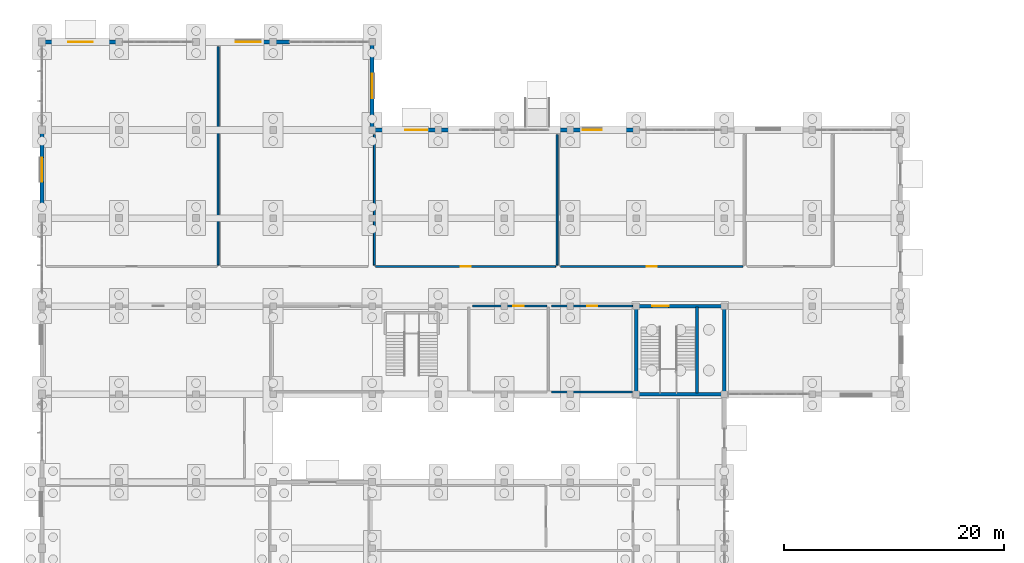
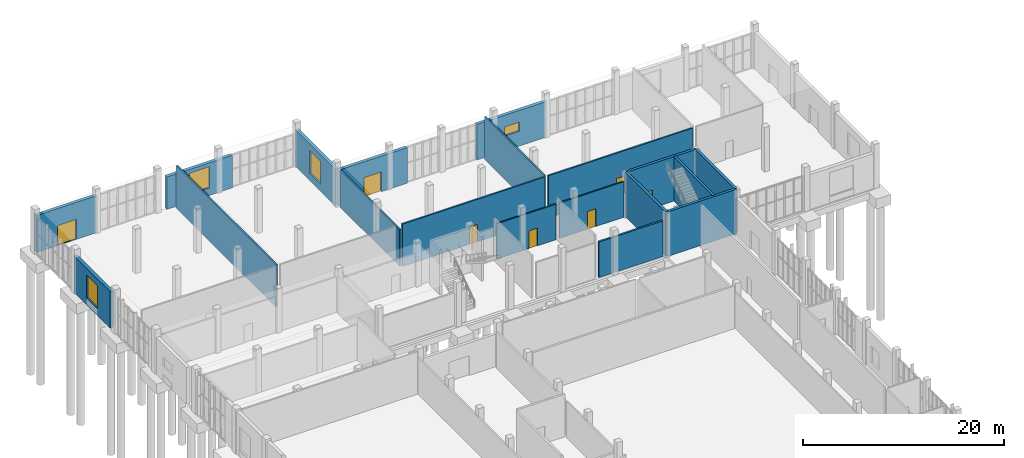
# One storey, part 48 of 69: 19 walls, 7 doors, 4 windows, 11 openings.
"""IFC4 building model written with IfcOpenShell, lengths in metres."""

from ifc_helpers import new_model, si_unit, direction, frame, frame_2d, origin, place, context, subcontext, project, spatial, rectangle, extrude, material, layer, layer_set, type_object, element, fill, save


model = new_model("IFC4")

# Units and contexts
model_context = context("Model", 3, precision=1e-05, world=origin(), true_north=direction((0.0, 1.0)))
body_context = subcontext(model_context, "Body", "Model", "MODEL_VIEW")
ifc_project = project(units=[si_unit("LENGTHUNIT", "METRE"), si_unit("AREAUNIT", "SQUARE_METRE"), si_unit("VOLUMEUNIT", "CUBIC_METRE"), si_unit("PLANEANGLEUNIT", "RADIAN"), si_unit("MASSUNIT", "GRAM", prefix="KILO")], contexts=[model_context])

# Site, building, storey
site_placement = place(None, origin())
site = spatial("IfcSite", under=ifc_project, at=site_placement, CompositionType="ELEMENT")
building_placement = place(site_placement, origin())
building = spatial("IfcBuilding", under=site, at=building_placement, Name="Solvane Community Centre", CompositionType="ELEMENT")
storey_placement = place(building_placement, origin())
storey = spatial("IfcBuildingStorey", under=building, at=storey_placement, Name="L00", CompositionType="ELEMENT", Elevation=0.0)

# Wall
ifc_material_1 = material(Name="Gypsum board partition")
ifc_layer_1 = layer(ifc_material_1, 0.2099609375)
ifc_layer_set_1 = layer_set([ifc_layer_1], Name="Gypsum board partition")
wall_type_1 = type_object("IfcWallType", Name="Acoustic Partition 210mm [74x43dm]", PredefinedType="PARTITIONING", material=ifc_layer_set_1)
wall_1_placement = place(storey_placement, frame((52.320068359375, 86.199951171875, 0.0), z_axis=(0.0, 0.0, 1.0), x_axis=(1.0, 0.0, 0.0)))
element("IfcWall", 1, at=wall_1_placement, inside=storey, type_object=wall_type_1, Name="Interior Wall WL-INT-L00-0230", PredefinedType="PARTITIONING", context=body_context, shape_type="SweptSolid", body=[
    extrude(rectangle(XDim=7.35986328125, YDim=0.2099609375, at=frame_2d((3.679931640625, 0.0))), origin(), (0.0, 0.0, 1.0), 4.31494140625),
])

# Wall, opening, door
ifc_material_2 = material(Name="Terracotta clay masonry", Category="masonry")
ifc_layer_2 = layer(ifc_material_2, 0.3798828125)
ifc_layer_set_2 = layer_set([ifc_layer_2], Name="Terracotta clay masonry")
wall_type_2 = type_object("IfcWallType", Name="Art Deco Terracotta Plinth Wall 380mm [70x45dm]", PredefinedType="SOLIDWALL", material=ifc_layer_set_2)
wall_2_placement = place(storey_placement, frame((6.0, 118.0, 0.0), z_axis=(0.0, 0.0, 1.0), x_axis=(1.0, 0.0, 0.0)))
wall_2 = element("IfcWall", 2, at=wall_2_placement, inside=storey, type_object=wall_type_2, Name="Exterior Wall WL-EXT-L00-0030", PredefinedType="SOLIDWALL", context=body_context, shape_type="SweptSolid", body=[
    extrude(rectangle(XDim=7.0, YDim=0.3798828125, at=frame_2d((3.5, 0.0))), origin(), (0.0, 0.0, 1.0), 4.4951171875),
])
opening_1_placement = place(wall_2_placement, frame((2.39990234375, 0.0, 0.0)))
opening_1 = element("IfcOpeningElement", 3, at=opening_1_placement, cuts=wall_2, Name="Opening D05", PredefinedType="OPENING", context=body_context, shape_type="SweptSolid", body=[
    extrude(rectangle(XDim=2.199951171875, YDim=2.449951171875, at=frame_2d((1.10009765625, 1.22509765625))), frame((0.0, 0.199951171875, 0.0), z_axis=(0.0, -1.0, 0.0), x_axis=(1.0, 0.0, 0.0)), (0.0, 0.0, 1.0), 0.39990234375),
])
ifc_material_3 = material(Name="Anodised bronze aluminium AW-6063 T6", Category="aluminium")
door_type_1 = type_object("IfcDoorType", Name="Boulevard Cafe Entrance Pair 2200x2450", OperationType="NOTDEFINED", PredefinedType="DOOR", material=ifc_material_3)
door_1_placement = place(opening_1_placement, origin())
door_1 = element("IfcDoor", 4, at=door_1_placement, inside=storey, type_object=door_type_1, Name="L00-ED13", OperationType="DOUBLE_DOOR_SINGLE_SWING", OverallHeight=2.449951171875, OverallWidth=2.199951171875, PredefinedType="DOOR", context=body_context, shape_type="SweptSolid", body=[
    extrude(rectangle(XDim=2.199951171875, YDim=2.449951171875, at=frame_2d((1.10009765625, 1.22509765625))), frame((0.0, 0.02490234375, 0.0), z_axis=(0.0, -1.0, 0.0), x_axis=(1.0, 0.0, 0.0)), (0.0, 0.0, 1.0), 0.050048828125),
])
fill(opening_1, door_1)

# Wall, opening, window
ifc_layer_3 = layer(ifc_material_2, 0.3798828125)
ifc_layer_set_3 = layer_set([ifc_layer_3], Name="Terracotta clay masonry")
wall_type_3 = type_object("IfcWallType", Name="Art Deco Terracotta Plinth Wall 380mm [72x44dm]", PredefinedType="SOLIDWALL", material=ifc_layer_set_3)
wall_3_placement = place(storey_placement, frame((6.0, 102.800048828125, 0.0), z_axis=(0.0, 0.0, 1.0), x_axis=(0.0, 1.0, 0.0)))
wall_3 = element("IfcWall", 5, at=wall_3_placement, inside=storey, type_object=wall_type_3, Name="Exterior Wall WL-EXT-L00-0029", PredefinedType="SOLIDWALL", context=body_context, shape_type="SweptSolid", body=[
    extrude(rectangle(XDim=7.199951171875, YDim=0.3798828125, at=frame_2d((3.60009765625, 0.0))), origin(), (0.0, 0.0, 1.0), 4.445068359375),
])
opening_2_placement = place(wall_3_placement, frame((2.5, 0.0, 0.85009765625)))
opening_2 = element("IfcOpeningElement", 6, at=opening_2_placement, cuts=wall_3, Name="Opening WN01", PredefinedType="OPENING", context=body_context, shape_type="SweptSolid", body=[
    extrude(rectangle(XDim=2.199951171875, YDim=2.800048828125, at=frame_2d((1.10009765625, 1.39990234375))), frame((0.0, 0.199951171875, 0.0), z_axis=(0.0, -1.0, 0.0), x_axis=(1.0, 0.0, 0.0)), (0.0, 0.0, 1.0), 0.39990234375),
])
ifc_material_4 = material(Name="Tempered low-E double glazing", Category="glass")
window_type_1 = type_object("IfcWindowType", Name="Art Deco Tall Pier Window 2200x2800", PartitioningType="DOUBLE_PANEL_VERTICAL", PredefinedType="WINDOW", material=ifc_material_4)
window_1_placement = place(opening_2_placement, origin())
window_1 = element("IfcWindow", 7, at=window_1_placement, inside=storey, type_object=window_type_1, Name="L00-W007", OverallHeight=2.800048828125, OverallWidth=2.199951171875, PartitioningType="DOUBLE_PANEL_VERTICAL", PredefinedType="WINDOW", context=body_context, shape_type="SweptSolid", body=[
    extrude(rectangle(XDim=2.199951171875, YDim=2.800048828125, at=frame_2d((1.10009765625, 1.39990234375))), frame((0.0, 0.030029296875, 0.0), z_axis=(0.0, -1.0, 0.0), x_axis=(1.0, 0.0, 0.0)), (0.0, 0.0, 1.0), 0.06005859375),
])
fill(opening_2, window_1)

ifc_layer_4 = layer(ifc_material_2, 0.3798828125)
ifc_layer_set_4 = layer_set([ifc_layer_4], Name="Terracotta clay masonry")
wall_type_4 = type_object("IfcWallType", Name="Art Deco Terracotta Plinth Wall 380mm [75x39dm]", PredefinedType="SOLIDWALL", material=ifc_layer_set_4)
wall_4_placement = place(storey_placement, frame((21.0, 118.0, 0.0), z_axis=(0.0, 0.0, 1.0), x_axis=(1.0, 0.0, 0.0)))
wall_4 = element("IfcWall", 8, at=wall_4_placement, inside=storey, type_object=wall_type_4, Name="Exterior Wall WL-EXT-L00-0031", PredefinedType="SOLIDWALL", context=body_context, shape_type="SweptSolid", body=[
    extrude(rectangle(XDim=7.5, YDim=0.3798828125, at=frame_2d((3.75, 0.0))), origin(), (0.0, 0.0, 1.0), 3.945068359375),
])
opening_3_placement = place(wall_4_placement, frame((2.60009765625, 0.0, 0.89990234375)))
opening_3 = element("IfcOpeningElement", 9, at=opening_3_placement, cuts=wall_4, Name="Opening WN12", PredefinedType="OPENING", context=body_context, shape_type="SweptSolid", body=[
    extrude(rectangle(XDim=2.300048828125, YDim=2.60009765625, at=frame_2d((1.14990234375, 1.300048828125))), frame((0.0, 0.199951171875, 0.0), z_axis=(0.0, -1.0, 0.0), x_axis=(1.0, 0.0, 0.0)), (0.0, 0.0, 1.0), 0.39990234375),
])
window_type_2 = type_object("IfcWindowType", Name="Dining Loggia Tall Window 2300x2600", PartitioningType="DOUBLE_PANEL_VERTICAL", PredefinedType="WINDOW", material=ifc_material_4)
window_2_placement = place(opening_3_placement, origin())
window_2 = element("IfcWindow", 10, at=window_2_placement, inside=storey, type_object=window_type_2, Name="L00-W008", OverallHeight=2.60009765625, OverallWidth=2.300048828125, PartitioningType="DOUBLE_PANEL_VERTICAL", PredefinedType="WINDOW", context=body_context, shape_type="SweptSolid", body=[
    extrude(rectangle(XDim=2.300048828125, YDim=2.60009765625, at=frame_2d((1.14990234375, 1.300048828125))), frame((0.0, 0.030029296875, 0.0), z_axis=(0.0, -1.0, 0.0), x_axis=(1.0, 0.0, 0.0)), (0.0, 0.0, 1.0), 0.06005859375),
])
fill(opening_3, window_2)

# Wall, opening, door
ifc_layer_5 = layer(ifc_material_2, 0.3798828125)
ifc_layer_set_5 = layer_set([ifc_layer_5], Name="Terracotta clay masonry")
wall_type_5 = type_object("IfcWallType", Name="Art Deco Terracotta Plinth Wall 380mm [80x43dm]", PredefinedType="SOLIDWALL", material=ifc_layer_set_5)
wall_5_placement = place(storey_placement, frame((36.0, 110.0, 0.0), z_axis=(0.0, 0.0, 1.0), x_axis=(1.0, 0.0, 0.0)))
wall_5 = element("IfcWall", 11, at=wall_5_placement, inside=storey, type_object=wall_type_5, Name="Exterior Wall WL-EXT-L00-0033", PredefinedType="SOLIDWALL", context=body_context, shape_type="SweptSolid", body=[
    extrude(rectangle(XDim=8.0, YDim=0.3798828125, at=frame_2d((4.0, 0.0))), origin(), (0.0, 0.0, 1.0), 4.31494140625),
])
opening_4_placement = place(wall_5_placement, frame((3.0, 0.0, 0.0)))
opening_4 = element("IfcOpeningElement", 12, at=opening_4_placement, cuts=wall_5, Name="Opening D01", PredefinedType="OPENING", context=body_context, shape_type="SweptSolid", body=[
    extrude(rectangle(XDim=2.0, YDim=2.39990234375, at=frame_2d((1.0, 1.199951171875))), frame((0.0, 0.199951171875, 0.0), z_axis=(0.0, -1.0, 0.0), x_axis=(1.0, 0.0, 0.0)), (0.0, 0.0, 1.0), 0.39990234375),
])
door_type_2 = type_object("IfcDoorType", Name="Grand Boulevard Exit Pair 2000x2400", OperationType="NOTDEFINED", PredefinedType="DOOR", material=ifc_material_3)
door_2_placement = place(opening_4_placement, origin())
door_2 = element("IfcDoor", 13, at=door_2_placement, inside=storey, type_object=door_type_2, Name="L00-ED14", OperationType="DOUBLE_DOOR_SINGLE_SWING", OverallHeight=2.39990234375, OverallWidth=2.0, PredefinedType="DOOR", context=body_context, shape_type="SweptSolid", body=[
    extrude(rectangle(XDim=2.0, YDim=2.39990234375, at=frame_2d((1.0, 1.199951171875))), frame((0.0, 0.02490234375, 0.0), z_axis=(0.0, -1.0, 0.0), x_axis=(1.0, 0.0, 0.0)), (0.0, 0.0, 1.0), 0.050048828125),
])
fill(opening_4, door_2)

# Wall, opening, window
wall_6_placement = place(storey_placement, frame((52.0, 110.0, 0.0), z_axis=(0.0, 0.0, 1.0), x_axis=(1.0, 0.0, 0.0)))
wall_6 = element("IfcWall", 14, at=wall_6_placement, inside=storey, type_object=wall_type_5, Name="Exterior Wall WL-EXT-L00-0034", PredefinedType="SOLIDWALL", context=body_context, shape_type="SweptSolid", body=[
    extrude(rectangle(XDim=8.0, YDim=0.3798828125, at=frame_2d((4.0, 0.0))), origin(), (0.0, 0.0, 1.0), 4.31494140625),
])
opening_5_placement = place(wall_6_placement, frame((3.14990234375, 0.0, 1.800048828125)))
opening_5 = element("IfcOpeningElement", 15, at=opening_5_placement, cuts=wall_6, Name="Opening WN17", PredefinedType="OPENING", context=body_context, shape_type="SweptSolid", body=[
    extrude(rectangle(XDim=1.699951171875, YDim=1.10009765625, at=frame_2d((0.85009765625, 0.550048828125))), frame((0.0, 0.199951171875, 0.0), z_axis=(0.0, -1.0, 0.0), x_axis=(1.0, 0.0, 0.0)), (0.0, 0.0, 1.0), 0.39990234375),
])
window_type_3 = type_object("IfcWindowType", Name="Kitchen High Clerestory 1700x1100", PartitioningType="SINGLE_PANEL", PredefinedType="WINDOW", material=ifc_material_4)
window_3_placement = place(opening_5_placement, origin())
window_3 = element("IfcWindow", 16, at=window_3_placement, inside=storey, type_object=window_type_3, Name="L00-W010", OverallHeight=1.10009765625, OverallWidth=1.699951171875, PartitioningType="SINGLE_PANEL", PredefinedType="WINDOW", context=body_context, shape_type="SweptSolid", body=[
    extrude(rectangle(XDim=1.699951171875, YDim=1.10009765625, at=frame_2d((0.85009765625, 0.550048828125))), frame((0.0, 0.030029296875, 0.0), z_axis=(0.0, -1.0, 0.0), x_axis=(1.0, 0.0, 0.0)), (0.0, 0.0, 1.0), 0.06005859375),
])
fill(opening_5, window_3)

ifc_layer_6 = layer(ifc_material_2, 0.3798828125)
ifc_layer_set_6 = layer_set([ifc_layer_6], Name="Terracotta clay masonry")
wall_type_6 = type_object("IfcWallType", Name="Art Deco Terracotta Plinth Wall 380mm [80x44dm]", PredefinedType="SOLIDWALL", material=ifc_layer_set_6)
wall_7_placement = place(storey_placement, frame((36.0, 118.0, 0.0), z_axis=(0.0, 0.0, 1.0), x_axis=(0.0, -1.0, 0.0)))
wall_7 = element("IfcWall", 17, at=wall_7_placement, inside=storey, type_object=wall_type_6, Name="Exterior Wall WL-EXT-L00-0032", PredefinedType="SOLIDWALL", context=body_context, shape_type="SweptSolid", body=[
    extrude(rectangle(XDim=8.0, YDim=0.3798828125, at=frame_2d((4.0, 0.0))), origin(), (0.0, 0.0, 1.0), 4.445068359375),
])
opening_6_placement = place(wall_7_placement, frame((2.89990234375, 0.0, 0.85009765625)))
opening_6 = element("IfcOpeningElement", 18, at=opening_6_placement, cuts=wall_7, Name="Opening WN01", PredefinedType="OPENING", context=body_context, shape_type="SweptSolid", body=[
    extrude(rectangle(XDim=2.199951171875, YDim=2.800048828125, at=frame_2d((1.10009765625, 1.39990234375))), frame((0.0, 0.199951171875, 0.0), z_axis=(0.0, -1.0, 0.0), x_axis=(1.0, 0.0, 0.0)), (0.0, 0.0, 1.0), 0.39990234375),
])
window_4_placement = place(opening_6_placement, origin())
window_4 = element("IfcWindow", 19, at=window_4_placement, inside=storey, type_object=window_type_1, Name="L00-W009", OverallHeight=2.800048828125, OverallWidth=2.199951171875, PartitioningType="DOUBLE_PANEL_VERTICAL", PredefinedType="WINDOW", context=body_context, shape_type="SweptSolid", body=[
    extrude(rectangle(XDim=2.199951171875, YDim=2.800048828125, at=frame_2d((1.10009765625, 1.39990234375))), frame((0.0, 0.030029296875, 0.0), z_axis=(0.0, -1.0, 0.0), x_axis=(1.0, 0.0, 0.0)), (0.0, 0.0, 1.0), 0.06005859375),
])
fill(opening_6, window_4)

# Walls
ifc_layer_7 = layer(ifc_material_1, 0.179931640625)
ifc_layer_set_7 = layer_set([ifc_layer_7], Name="Gypsum board partition")
wall_type_7 = type_object("IfcWallType", Name="Protected Corridor Wall 180mm [119x44dm]", PredefinedType="PARTITIONING", material=ifc_layer_set_7)
wall_8_placement = place(storey_placement, frame((36.199951171875, 109.580078125, 0.0), z_axis=(0.0, 0.0, 1.0), x_axis=(0.0, -1.0, 0.0)))
element("IfcWall", 20, at=wall_8_placement, inside=storey, type_object=wall_type_7, Name="Interior Wall WL-INT-L00-0232", PredefinedType="PARTITIONING", context=body_context, shape_type="SweptSolid", body=[
    extrude(rectangle(XDim=11.860107421875, YDim=0.179931640625, at=frame_2d((5.93017578125, 0.0))), origin(), (0.0, 0.0, 1.0), 4.445068359375),
])
ifc_layer_8 = layer(ifc_material_1, 0.179931640625)
ifc_layer_set_8 = layer_set([ifc_layer_8], Name="Gypsum board partition")
wall_type_8 = type_object("IfcWallType", Name="Protected Corridor Wall 180mm [119x52dm]", PredefinedType="PARTITIONING", material=ifc_layer_set_8)
wall_9_placement = place(storey_placement, frame((52.800048828125, 97.719970703125, 0.0), z_axis=(0.0, 0.0, 1.0), x_axis=(0.0, 1.0, 0.0)))
element("IfcWall", 21, at=wall_9_placement, inside=storey, type_object=wall_type_8, Name="Interior Wall WL-INT-L00-0233", PredefinedType="PARTITIONING", context=body_context, shape_type="SweptSolid", body=[
    extrude(rectangle(XDim=11.860107421875, YDim=0.179931640625, at=frame_2d((5.93017578125, 0.0))), origin(), (0.0, 0.0, 1.0), 5.159912109375),
])

# Wall, opening, door
ifc_layer_9 = layer(ifc_material_1, 0.179931640625)
ifc_layer_set_9 = layer_set([ifc_layer_9], Name="Gypsum board partition")
wall_type_9 = type_object("IfcWallType", Name="Protected Corridor Wall 180mm [164x52dm]", PredefinedType="PARTITIONING", material=ifc_layer_set_9)
wall_10_placement = place(storey_placement, frame((36.320068359375, 97.60009765625, 0.0), z_axis=(0.0, 0.0, 1.0), x_axis=(1.0, 0.0, 0.0)))
wall_10 = element("IfcWall", 22, at=wall_10_placement, inside=storey, type_object=wall_type_9, Name="Interior Wall WL-INT-L00-0231", PredefinedType="PARTITIONING", context=body_context, shape_type="SweptSolid", body=[
    extrude(rectangle(XDim=16.35986328125, YDim=0.179931640625, at=frame_2d((8.179931640625, 0.0))), origin(), (0.0, 0.0, 1.0), 5.159912109375),
])
opening_7_placement = place(wall_10_placement, frame((7.719970703125, 0.0, 0.0)))
opening_7 = element("IfcOpeningElement", 23, at=opening_7_placement, cuts=wall_10, Name="Opening ID04", PredefinedType="OPENING", context=body_context, shape_type="SweptSolid", body=[
    extrude(rectangle(XDim=0.919921875, YDim=2.10009765625, at=frame_2d((0.4599609375, 1.050048828125))), frame((0.0, 0.099853515625, 0.0), z_axis=(0.0, -1.0, 0.0), x_axis=(1.0, 0.0, 0.0)), (0.0, 0.0, 1.0), 0.199951171875),
])
door_type_3 = type_object("IfcDoorType", Name="Nursery & Studio Door 920x2100", OperationType="NOTDEFINED", PredefinedType="DOOR", material=ifc_material_3)
door_3_placement = place(opening_7_placement, origin())
door_3 = element("IfcDoor", 24, at=door_3_placement, inside=storey, type_object=door_type_3, Name="L00-D082", OperationType="SINGLE_SWING_RIGHT", OverallHeight=2.10009765625, OverallWidth=0.919921875, PredefinedType="DOOR", context=body_context, shape_type="SweptSolid", body=[
    extrude(rectangle(XDim=0.919921875, YDim=2.10009765625, at=frame_2d((0.4599609375, 1.050048828125))), frame((0.0, 0.02490234375, 0.0), z_axis=(0.0, -1.0, 0.0), x_axis=(1.0, 0.0, 0.0)), (0.0, 0.0, 1.0), 0.050048828125),
])
fill(opening_7, door_3)

ifc_layer_10 = layer(ifc_material_1, 0.179931640625)
ifc_layer_set_10 = layer_set([ifc_layer_10], Name="Gypsum board partition")
wall_type_10 = type_object("IfcWallType", Name="Protected Corridor Wall 180mm [166x52dm]", PredefinedType="PARTITIONING", material=ifc_layer_set_10)
wall_11_placement = place(storey_placement, frame((53.1201171875, 97.60009765625, 0.0), z_axis=(0.0, 0.0, 1.0), x_axis=(1.0, 0.0, 0.0)))
wall_11 = element("IfcWall", 25, at=wall_11_placement, inside=storey, type_object=wall_type_10, Name="Interior Wall WL-INT-L00-0234", PredefinedType="PARTITIONING", context=body_context, shape_type="SweptSolid", body=[
    extrude(rectangle(XDim=16.559814453125, YDim=0.179931640625, at=frame_2d((8.27978515625, 0.0))), origin(), (0.0, 0.0, 1.0), 5.159912109375),
])
opening_8_placement = place(wall_11_placement, frame((7.820068359375, 0.0, 0.0)))
opening_8 = element("IfcOpeningElement", 26, at=opening_8_placement, cuts=wall_11, Name="Opening ID04", PredefinedType="OPENING", context=body_context, shape_type="SweptSolid", body=[
    extrude(rectangle(XDim=0.919921875, YDim=2.10009765625, at=frame_2d((0.4599609375, 1.050048828125))), frame((0.0, 0.099853515625, 0.0), z_axis=(0.0, -1.0, 0.0), x_axis=(1.0, 0.0, 0.0)), (0.0, 0.0, 1.0), 0.199951171875),
])
door_4_placement = place(opening_8_placement, origin())
door_4 = element("IfcDoor", 27, at=door_4_placement, inside=storey, type_object=door_type_3, Name="L00-D083", OperationType="SINGLE_SWING_LEFT", OverallHeight=2.10009765625, OverallWidth=0.919921875, PredefinedType="DOOR", context=body_context, shape_type="SweptSolid", body=[
    extrude(rectangle(XDim=0.919921875, YDim=2.10009765625, at=frame_2d((0.4599609375, 1.050048828125))), frame((0.0, 0.02490234375, 0.0), z_axis=(0.0, -1.0, 0.0), x_axis=(1.0, 0.0, 0.0)), (0.0, 0.0, 1.0), 0.050048828125),
])
fill(opening_8, door_4)

# Walls
ifc_layer_11 = layer(ifc_material_1, 0.179931640625)
ifc_layer_set_11 = layer_set([ifc_layer_11], Name="Gypsum board partition")
wall_type_11 = type_object("IfcWallType", Name="Protected Corridor Wall 180mm [199x52dm]", PredefinedType="PARTITIONING", material=ifc_layer_set_11)
wall_12_placement = place(storey_placement, frame((22.0, 97.719970703125, 0.0), z_axis=(0.0, 0.0, 1.0), x_axis=(0.0, 1.0, 0.0)))
element("IfcWall", 28, at=wall_12_placement, inside=storey, type_object=wall_type_11, Name="Interior Wall WL-INT-L00-0239", PredefinedType="PARTITIONING", context=body_context, shape_type="SweptSolid", body=[
    extrude(rectangle(XDim=19.860107421875, YDim=0.179931640625, at=frame_2d((9.93017578125, 0.0))), origin(), (0.0, 0.0, 1.0), 5.159912109375),
])
ifc_material_5 = material(Name="Concrete C35/45", Category="concrete")
ifc_layer_12 = layer(ifc_material_5, 0.300048828125)
ifc_layer_set_12 = layer_set([ifc_layer_12], Name="Concrete C35/45")
wall_type_12 = type_object("IfcWallType", Name="RC Core Shear Wall 300mm [80x54dm]", PredefinedType="SHEAR", material=ifc_layer_set_12)
for number, where, z_axis, x_axis, name in (
    (29, (68.0, 86.0, 0.0), (0.0, 0.0, 1.0), (-1.0, 0.0, 0.0), "Interior Wall WL-INT-L00-0122"),
    (30, (60.0, 86.0, 0.0), (0.0, 0.0, 1.0), (0.0, 1.0, 0.0), "Interior Wall WL-INT-L00-0123"),
):
    element("IfcWall", number, at=place(storey_placement, frame(where, z_axis=z_axis, x_axis=x_axis)), inside=storey, type_object=wall_type_12, Name=name, PredefinedType="SHEAR", context=body_context, shape_type="SweptSolid", body=[
        extrude(rectangle(XDim=8.0, YDim=0.300048828125, at=frame_2d((4.0, 0.0))), origin(), (0.0, 0.0, 1.0), 5.39990234375),
    ])

# Wall, opening, door
wall_13_placement = place(storey_placement, frame((60.0, 94.0, 0.0), z_axis=(0.0, 0.0, 1.0), x_axis=(1.0, 0.0, 0.0)))
wall_13 = element("IfcWall", 31, at=wall_13_placement, inside=storey, type_object=wall_type_12, Name="Interior Wall WL-INT-L00-0124", PredefinedType="SHEAR", context=body_context, shape_type="SweptSolid", body=[
    extrude(rectangle(XDim=8.0, YDim=0.300048828125, at=frame_2d((4.0, 0.0))), origin(), (0.0, 0.0, 1.0), 5.39990234375),
])
opening_9_placement = place(wall_13_placement, frame((1.449951171875, 0.0, 0.0)))
opening_9 = element("IfcOpeningElement", 32, at=opening_9_placement, cuts=wall_13, Name="Opening SD01", PredefinedType="OPENING", context=body_context, shape_type="SweptSolid", body=[
    extrude(rectangle(XDim=1.5, YDim=2.199951171875, at=frame_2d((0.75, 1.10009765625))), frame((0.0, 0.159912109375, 0.0), z_axis=(0.0, -1.0, 0.0), x_axis=(1.0, 0.0, 0.0)), (0.0, 0.0, 1.0), 0.320068359375),
])
door_type_4 = type_object("IfcDoorType", Name="Stair Discharge Fire Pair 1500x2200", OperationType="NOTDEFINED", PredefinedType="DOOR", material=ifc_material_3)
door_5_placement = place(opening_9_placement, origin())
door_5 = element("IfcDoor", 33, at=door_5_placement, inside=storey, type_object=door_type_4, Name="L00-D045", OperationType="DOUBLE_DOOR_SINGLE_SWING", OverallHeight=2.199951171875, OverallWidth=1.5, PredefinedType="DOOR", context=body_context, shape_type="SweptSolid", body=[
    extrude(rectangle(XDim=1.5, YDim=2.199951171875, at=frame_2d((0.75, 1.10009765625))), frame((0.0, 0.02490234375, 0.0), z_axis=(0.0, -1.0, 0.0), x_axis=(1.0, 0.0, 0.0)), (0.0, 0.0, 1.0), 0.050048828125),
])
fill(opening_9, door_5)

# Walls
wall_14_placement = place(storey_placement, frame((68.0, 94.0, 0.0), z_axis=(0.0, 0.0, 1.0), x_axis=(0.0, -1.0, 0.0)))
element("IfcWall", 34, at=wall_14_placement, inside=storey, type_object=wall_type_12, Name="Interior Wall WL-INT-L00-0125", PredefinedType="SHEAR", context=body_context, shape_type="SweptSolid", body=[
    extrude(rectangle(XDim=8.0, YDim=0.300048828125, at=frame_2d((4.0, 0.0))), origin(), (0.0, 0.0, 1.0), 5.39990234375),
])
ifc_layer_13 = layer(ifc_material_5, 0.25)
ifc_layer_set_13 = layer_set([ifc_layer_13], Name="Concrete C35/45")
wall_type_13 = type_object("IfcWallType", Name="RC Lift Shaft Wall 250mm [78x54dm]", PredefinedType="SHEAR", material=ifc_layer_set_13)
wall_15_placement = place(storey_placement, frame((65.52001953125, 86.10009765625, 0.0), z_axis=(0.0, 0.0, 1.0), x_axis=(0.0, 1.0, 0.0)))
element("IfcWall", 35, at=wall_15_placement, inside=storey, type_object=wall_type_13, Name="Interior Wall WL-INT-L00-0126", PredefinedType="SHEAR", context=body_context, shape_type="SweptSolid", body=[
    extrude(rectangle(XDim=7.7998046875, YDim=0.25, at=frame_2d((3.89990234375, 0.0))), origin(), (0.0, 0.0, 1.0), 5.39990234375),
])

# Wall, opening, door
ifc_layer_14 = layer(ifc_material_1, 0.159912109375)
ifc_layer_set_14 = layer_set([ifc_layer_14], Name="Gypsum board partition")
wall_type_14 = type_object("IfcWallType", Name="Sanitary Plumbing Chase Wall 160mm [68x43dm]", PredefinedType="PLUMBINGWALL", material=ifc_layer_set_14)
wall_16_placement = place(storey_placement, frame((51.8798828125, 94.0, 0.0), z_axis=(0.0, 0.0, 1.0), x_axis=(-1.0, 0.0, 0.0)))
wall_16 = element("IfcWall", 36, at=wall_16_placement, inside=storey, type_object=wall_type_14, Name="Interior Wall WL-INT-L00-0226", PredefinedType="PLUMBINGWALL", context=body_context, shape_type="SweptSolid", body=[
    extrude(rectangle(XDim=6.759765625, YDim=0.159912109375, at=frame_2d((3.3798828125, 0.0))), origin(), (0.0, 0.0, 1.0), 4.31494140625),
])
opening_10_placement = place(wall_16_placement, frame((2.1240234375, 0.0, 0.0)))
opening_10 = element("IfcOpeningElement", 37, at=opening_10_placement, cuts=wall_16, Name="Opening ID03", PredefinedType="OPENING", context=body_context, shape_type="SweptSolid", body=[
    extrude(rectangle(XDim=0.949951171875, YDim=2.14990234375, at=frame_2d((0.47509765625, 1.074951171875))), frame((0.0, 0.08984375, 0.0), z_axis=(0.0, -1.0, 0.0), x_axis=(1.0, 0.0, 0.0)), (0.0, 0.0, 1.0), 0.179931640625),
])
door_type_5 = type_object("IfcDoorType", Name="Accessible Sanitary Door 950x2150", OperationType="NOTDEFINED", PredefinedType="DOOR", material=ifc_material_3)
door_6_placement = place(opening_10_placement, origin())
door_6 = element("IfcDoor", 38, at=door_6_placement, inside=storey, type_object=door_type_5, Name="L00-D080", OperationType="SINGLE_SWING_RIGHT", OverallHeight=2.14990234375, OverallWidth=0.949951171875, PredefinedType="DOOR", context=body_context, shape_type="SweptSolid", body=[
    extrude(rectangle(XDim=0.949951171875, YDim=2.14990234375, at=frame_2d((0.47509765625, 1.074951171875))), frame((0.0, 0.02490234375, 0.0), z_axis=(0.0, -1.0, 0.0), x_axis=(1.0, 0.0, 0.0)), (0.0, 0.0, 1.0), 0.050048828125),
])
fill(opening_10, door_6)

ifc_layer_15 = layer(ifc_material_1, 0.159912109375)
ifc_layer_set_15 = layer_set([ifc_layer_15], Name="Gypsum board partition")
wall_type_15 = type_object("IfcWallType", Name="Sanitary Plumbing Chase Wall 160mm [74x43dm]", PredefinedType="PLUMBINGWALL", material=ifc_layer_set_15)
wall_17_placement = place(storey_placement, frame((59.679931640625, 94.0, 0.0), z_axis=(0.0, 0.0, 1.0), x_axis=(-1.0, 0.0, 0.0)))
wall_17 = element("IfcWall", 39, at=wall_17_placement, inside=storey, type_object=wall_type_15, Name="Interior Wall WL-INT-L00-0229", PredefinedType="PLUMBINGWALL", context=body_context, shape_type="SweptSolid", body=[
    extrude(rectangle(XDim=7.35986328125, YDim=0.159912109375, at=frame_2d((3.679931640625, 0.0))), origin(), (0.0, 0.0, 1.0), 4.31494140625),
])
opening_11_placement = place(wall_17_placement, frame((3.205078125, 0.0, 0.0)))
opening_11 = element("IfcOpeningElement", 40, at=opening_11_placement, cuts=wall_17, Name="Opening ID03", PredefinedType="OPENING", context=body_context, shape_type="SweptSolid", body=[
    extrude(rectangle(XDim=0.949951171875, YDim=2.14990234375, at=frame_2d((0.47509765625, 1.074951171875))), frame((0.0, 0.08984375, 0.0), z_axis=(0.0, -1.0, 0.0), x_axis=(1.0, 0.0, 0.0)), (0.0, 0.0, 1.0), 0.179931640625),
])
door_7_placement = place(opening_11_placement, origin())
door_7 = element("IfcDoor", 41, at=door_7_placement, inside=storey, type_object=door_type_5, Name="L00-D081", OperationType="SINGLE_SWING_LEFT", OverallHeight=2.14990234375, OverallWidth=0.949951171875, PredefinedType="DOOR", context=body_context, shape_type="SweptSolid", body=[
    extrude(rectangle(XDim=0.949951171875, YDim=2.14990234375, at=frame_2d((0.47509765625, 1.074951171875))), frame((0.0, 0.02490234375, 0.0), z_axis=(0.0, -1.0, 0.0), x_axis=(1.0, 0.0, 0.0)), (0.0, 0.0, 1.0), 0.050048828125),
])
fill(opening_11, door_7)

save(model, "model.ifc")
